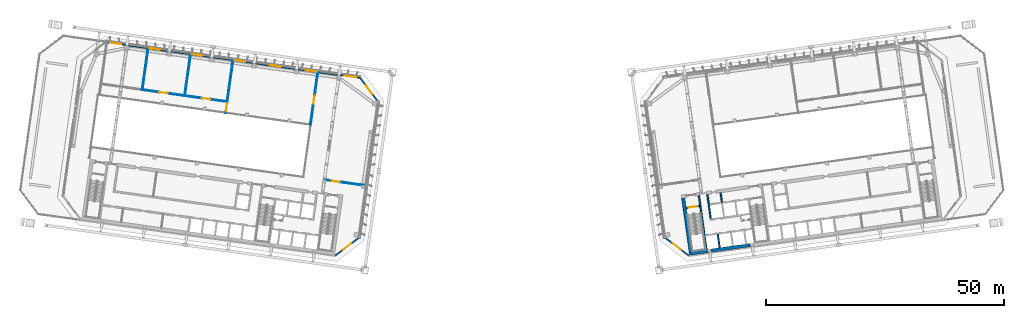
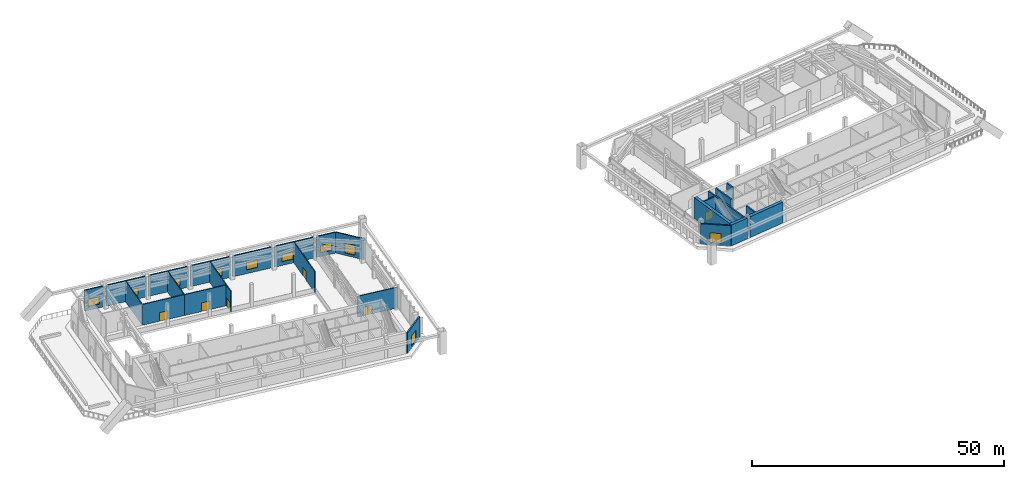
# One storey, part 22 of 41: 26 walls, 10 windows, 6 doors, 16 openings.
"""IFC4 building model written with IfcOpenShell, lengths in metres."""

from ifc_helpers import new_model, si_unit, direction, frame, frame_2d, origin, place, context, subcontext, project, spatial, rectangle, extrude, material, layer, layer_set, type_object, element, fill, save


model = new_model("IFC4")

# Units and contexts
model_context = context("Model", 3, precision=1e-05, world=origin(), true_north=direction((0.0, 1.0)))
body_context = subcontext(model_context, "Body", "Model", "MODEL_VIEW")
ifc_project = project(units=[si_unit("LENGTHUNIT", "METRE"), si_unit("AREAUNIT", "SQUARE_METRE"), si_unit("VOLUMEUNIT", "CUBIC_METRE"), si_unit("PLANEANGLEUNIT", "RADIAN"), si_unit("MASSUNIT", "GRAM", prefix="KILO")], contexts=[model_context])

# Site, building, storey
site_placement = place(None, origin())
site = spatial("IfcSite", under=ifc_project, at=site_placement, CompositionType="ELEMENT")
building_placement = place(site_placement, origin())
building = spatial("IfcBuilding", under=site, at=building_placement, Name="Mirante Cascada Hotel Towers", CompositionType="ELEMENT")
storey_placement = place(building_placement, frame((0.0, 0.0, 151.9)))
storey = spatial("IfcBuildingStorey", under=building, at=storey_placement, Name="L35", CompositionType="ELEMENT", Elevation=151.9)

# Wall
ifc_material_1 = material(Name="Masonry block", Category="masonry")
ifc_layer_1 = layer(ifc_material_1, 0.3)
ifc_layer_set_1 = layer_set([ifc_layer_1], Name="Core wall 300 block EI 120")
wall_type_1 = type_object("IfcWallType", Name="Core wall 300 block EI 120", PredefinedType="PARTITIONING", material=ifc_layer_set_1)
wall_1_placement = place(storey_placement, frame((44.0843, -8.8061, 0.0), z_axis=(0.0, 0.0, 1.0), x_axis=(-0.1391951, 0.990265, 0.0)))
element("IfcWall", 1, at=wall_1_placement, inside=storey, type_object=wall_type_1, Name="Core wall partition T2 L35 1", PredefinedType="PARTITIONING", context=body_context, shape_type="SweptSolid", body=[
    extrude(rectangle(XDim=2.0001, YDim=0.3, at=frame_2d((1.0001, 0.0))), origin(), (0.0, 0.0, 1.0), 5.05),
])

# Wall, opening, window
ifc_material_2 = material(Name="Precast concrete C40/50", Category="concrete")
ifc_layer_2 = layer(ifc_material_2, 0.3)
ifc_layer_set_2 = layer_set([ifc_layer_2], Name="Precast concrete C40/50 cladding wall 300")
wall_type_2 = type_object("IfcWallType", Name="Precast concrete C40/50 cladding wall 300", PredefinedType="STANDARD", material=ifc_layer_set_2)
wall_2_placement = place(storey_placement, frame((-31.9558, 17.3101, 0.0), z_axis=(0.0, 0.0, 1.0), x_axis=(-0.9902691, 0.1391657, 0.0)))
wall_2 = element("IfcWall", 2, at=wall_2_placement, inside=storey, type_object=wall_type_2, Name="Cladding pier wall T1 L35 front 1", PredefinedType="STANDARD", context=body_context, shape_type="SweptSolid", body=[
    extrude(rectangle(XDim=4.0908, YDim=0.3, at=frame_2d((2.0454, 0.0))), origin(), (0.0, 0.0, 1.0), 5.05),
])
opening_1_placement = place(wall_2_placement, frame((0.8143, 0.0, 0.9)))
opening_1 = element("IfcOpeningElement", 3, at=opening_1_placement, cuts=wall_2, Name="Opening W1-35-01", PredefinedType="OPENING", context=body_context, shape_type="SweptSolid", body=[
    extrude(rectangle(XDim=2.4, YDim=1.8, at=frame_2d((1.2, 0.9))), frame((0.0, 0.15, 0.0), z_axis=(0.0, -1.0, 0.0), x_axis=(1.0, 0.0, 0.0)), (0.0, 0.0, 1.0), 0.3),
])
ifc_material_3 = material(Name="Aluminium frame with clear double glazing", Category="aluminium")
window_type_1 = type_object("IfcWindowType", Name="Punched window 2400x1800", PartitioningType="DOUBLE_PANEL_VERTICAL", PredefinedType="WINDOW", material=ifc_material_3)
window_1_placement = place(opening_1_placement, origin())
window_1 = element("IfcWindow", 4, at=window_1_placement, inside=storey, type_object=window_type_1, Name="Window W1-35-01", OverallHeight=1.8, OverallWidth=2.4, PartitioningType="SINGLE_PANEL", PredefinedType="WINDOW", context=body_context, shape_type="SweptSolid", body=[
    extrude(rectangle(XDim=2.4, YDim=1.8, at=frame_2d((1.2, 0.9))), frame((0.0, 0.03, 0.0), z_axis=(0.0, -1.0, 0.0), x_axis=(1.0, 0.0, 0.0)), (0.0, 0.0, 1.0), 0.06),
])
fill(opening_1, window_1)

wall_3_placement = place(storey_placement, frame((-36.6009, 17.963, 0.0), z_axis=(0.0, 0.0, 1.0), x_axis=(-0.9902691, 0.139166, 0.0)))
wall_3 = element("IfcWall", 5, at=wall_3_placement, inside=storey, type_object=wall_type_2, Name="Cladding pier wall T1 L35 front 2", PredefinedType="STANDARD", context=body_context, shape_type="SweptSolid", body=[
    extrude(rectangle(XDim=8.4, YDim=0.3, at=frame_2d((4.2, 0.0))), origin(), (0.0, 0.0, 1.0), 5.05),
])
opening_2_placement = place(wall_3_placement, frame((4.385, 0.0, 0.9)))
opening_2 = element("IfcOpeningElement", 6, at=opening_2_placement, cuts=wall_3, Name="Opening W1-35-02", PredefinedType="OPENING", context=body_context, shape_type="SweptSolid", body=[
    extrude(rectangle(XDim=2.4, YDim=1.8, at=frame_2d((1.2, 0.9))), frame((0.0, 0.15, 0.0), z_axis=(0.0, -1.0, 0.0), x_axis=(1.0, 0.0, 0.0)), (0.0, 0.0, 1.0), 0.3),
])
window_2_placement = place(opening_2_placement, origin())
window_2 = element("IfcWindow", 7, at=window_2_placement, inside=storey, type_object=window_type_1, Name="Window W1-35-02", OverallHeight=1.8, OverallWidth=2.4, PartitioningType="SINGLE_PANEL", PredefinedType="WINDOW", context=body_context, shape_type="SweptSolid", body=[
    extrude(rectangle(XDim=2.4, YDim=1.8, at=frame_2d((1.2, 0.9))), frame((0.0, 0.03, 0.0), z_axis=(0.0, -1.0, 0.0), x_axis=(1.0, 0.0, 0.0)), (0.0, 0.0, 1.0), 0.06),
])
fill(opening_2, window_2)

wall_4_placement = place(storey_placement, frame((-45.5133, 19.2155, 0.0), z_axis=(0.0, 0.0, 1.0), x_axis=(-0.9902675, 0.139177, 0.0)))
wall_4 = element("IfcWall", 8, at=wall_4_placement, inside=storey, type_object=wall_type_2, Name="Cladding pier wall T1 L35 front 3", PredefinedType="STANDARD", context=body_context, shape_type="SweptSolid", body=[
    extrude(rectangle(XDim=8.385, YDim=0.3, at=frame_2d((4.1925, 0.0))), origin(), (0.0, 0.0, 1.0), 5.05),
])
opening_3_placement = place(wall_4_placement, frame((2.9925, 0.0, 0.9)))
opening_3 = element("IfcOpeningElement", 9, at=opening_3_placement, cuts=wall_4, Name="Opening W1-35-03", PredefinedType="OPENING", context=body_context, shape_type="SweptSolid", body=[
    extrude(rectangle(XDim=2.4, YDim=1.8, at=frame_2d((1.2, 0.9))), frame((0.0, 0.15, 0.0), z_axis=(0.0, -1.0, 0.0), x_axis=(1.0, 0.0, 0.0)), (0.0, 0.0, 1.0), 0.3),
])
window_3_placement = place(opening_3_placement, origin())
window_3 = element("IfcWindow", 10, at=window_3_placement, inside=storey, type_object=window_type_1, Name="Window W1-35-03", OverallHeight=1.8, OverallWidth=2.4, PartitioningType="SINGLE_PANEL", PredefinedType="WINDOW", context=body_context, shape_type="SweptSolid", body=[
    extrude(rectangle(XDim=2.4, YDim=1.8, at=frame_2d((1.2, 0.9))), frame((0.0, 0.03, 0.0), z_axis=(0.0, -1.0, 0.0), x_axis=(1.0, 0.0, 0.0)), (0.0, 0.0, 1.0), 0.06),
])
fill(opening_3, window_3)

wall_5_placement = place(storey_placement, frame((-54.4109, 20.466, 0.0), z_axis=(0.0, 0.0, 1.0), x_axis=(-0.9902691, 0.139166, 0.0)))
wall_5 = element("IfcWall", 11, at=wall_5_placement, inside=storey, type_object=wall_type_2, Name="Cladding pier wall T1 L35 front 4", PredefinedType="STANDARD", context=body_context, shape_type="SweptSolid", body=[
    extrude(rectangle(XDim=8.4, YDim=0.3, at=frame_2d((4.2, 0.0))), origin(), (0.0, 0.0, 1.0), 5.05),
])
opening_4_placement = place(wall_5_placement, frame((1.6, 0.0, 0.9)))
opening_4 = element("IfcOpeningElement", 12, at=opening_4_placement, cuts=wall_5, Name="Opening W1-35-04", PredefinedType="OPENING", context=body_context, shape_type="SweptSolid", body=[
    extrude(rectangle(XDim=2.4, YDim=1.8, at=frame_2d((1.2, 0.9))), frame((0.0, 0.15, 0.0), z_axis=(0.0, -1.0, 0.0), x_axis=(1.0, 0.0, 0.0)), (0.0, 0.0, 1.0), 0.3),
])
window_4_placement = place(opening_4_placement, origin())
window_4 = element("IfcWindow", 13, at=window_4_placement, inside=storey, type_object=window_type_1, Name="Window W1-35-04", OverallHeight=1.8, OverallWidth=2.4, PartitioningType="SINGLE_PANEL", PredefinedType="WINDOW", context=body_context, shape_type="SweptSolid", body=[
    extrude(rectangle(XDim=2.4, YDim=1.8, at=frame_2d((1.2, 0.9))), frame((0.0, 0.03, 0.0), z_axis=(0.0, -1.0, 0.0), x_axis=(1.0, 0.0, 0.0)), (0.0, 0.0, 1.0), 0.06),
])
fill(opening_4, window_4)

wall_6_placement = place(storey_placement, frame((-63.3233, 21.7185, 0.0), z_axis=(0.0, 0.0, 1.0), x_axis=(-0.9902674, 0.1391777, 0.0)))
wall_6 = element("IfcWall", 14, at=wall_6_placement, inside=storey, type_object=wall_type_2, Name="Cladding pier wall T1 L35 front 5", PredefinedType="STANDARD", context=body_context, shape_type="SweptSolid", body=[
    extrude(rectangle(XDim=8.4001, YDim=0.3, at=frame_2d((4.2, 0.0))), origin(), (0.0, 0.0, 1.0), 5.05),
])
opening_5_placement = place(wall_6_placement, frame((1.6, 0.0, 0.9)))
opening_5 = element("IfcOpeningElement", 15, at=opening_5_placement, cuts=wall_6, Name="Opening W1-35-05", PredefinedType="OPENING", context=body_context, shape_type="SweptSolid", body=[
    extrude(rectangle(XDim=2.4, YDim=1.8, at=frame_2d((1.2, 0.9))), frame((0.0, 0.15, 0.0), z_axis=(0.0, -1.0, 0.0), x_axis=(1.0, 0.0, 0.0)), (0.0, 0.0, 1.0), 0.3),
])
window_5_placement = place(opening_5_placement, origin())
window_5 = element("IfcWindow", 16, at=window_5_placement, inside=storey, type_object=window_type_1, Name="Window W1-35-05", OverallHeight=1.8, OverallWidth=2.4, PartitioningType="SINGLE_PANEL", PredefinedType="WINDOW", context=body_context, shape_type="SweptSolid", body=[
    extrude(rectangle(XDim=2.4, YDim=1.8, at=frame_2d((1.2, 0.9))), frame((0.0, 0.03, 0.0), z_axis=(0.0, -1.0, 0.0), x_axis=(1.0, 0.0, 0.0)), (0.0, 0.0, 1.0), 0.06),
])
fill(opening_5, window_5)

wall_7_placement = place(storey_placement, frame((-72.2357, 22.9711, 0.0), z_axis=(0.0, 0.0, 1.0), x_axis=(-0.9902691, 0.139166, 0.0)))
wall_7 = element("IfcWall", 17, at=wall_7_placement, inside=storey, type_object=wall_type_2, Name="Cladding pier wall T1 L35 front 6", PredefinedType="STANDARD", context=body_context, shape_type="SweptSolid", body=[
    extrude(rectangle(XDim=8.4, YDim=0.3, at=frame_2d((4.2, 0.0))), origin(), (0.0, 0.0, 1.0), 5.05),
])
opening_6_placement = place(wall_7_placement, frame((1.6, 0.0, 0.9)))
opening_6 = element("IfcOpeningElement", 18, at=opening_6_placement, cuts=wall_7, Name="Opening W1-35-06", PredefinedType="OPENING", context=body_context, shape_type="SweptSolid", body=[
    extrude(rectangle(XDim=2.4, YDim=1.8, at=frame_2d((1.2, 0.9))), frame((0.0, 0.15, 0.0), z_axis=(0.0, -1.0, 0.0), x_axis=(1.0, 0.0, 0.0)), (0.0, 0.0, 1.0), 0.3),
])
window_6_placement = place(opening_6_placement, origin())
window_6 = element("IfcWindow", 19, at=window_6_placement, inside=storey, type_object=window_type_1, Name="Window W1-35-06", OverallHeight=1.8, OverallWidth=2.4, PartitioningType="SINGLE_PANEL", PredefinedType="WINDOW", context=body_context, shape_type="SweptSolid", body=[
    extrude(rectangle(XDim=2.4, YDim=1.8, at=frame_2d((1.2, 0.9))), frame((0.0, 0.03, 0.0), z_axis=(0.0, -1.0, 0.0), x_axis=(1.0, 0.0, 0.0)), (0.0, 0.0, 1.0), 0.06),
])
fill(opening_6, window_6)

wall_8_placement = place(storey_placement, frame((-81.1481, 24.2237, 0.0), z_axis=(0.0, 0.0, 1.0), x_axis=(-0.9902698, 0.1391609, 0.0)))
wall_8 = element("IfcWall", 20, at=wall_8_placement, inside=storey, type_object=wall_type_2, Name="Cladding pier wall T1 L35 front 7", PredefinedType="STANDARD", context=body_context, shape_type="SweptSolid", body=[
    extrude(rectangle(XDim=4.0759, YDim=0.3, at=frame_2d((2.038, 0.0))), origin(), (0.0, 0.0, 1.0), 5.05),
])
opening_7_placement = place(wall_8_placement, frame((0.8689, 0.0, 0.9)))
opening_7 = element("IfcOpeningElement", 21, at=opening_7_placement, cuts=wall_8, Name="Opening W1-35-07", PredefinedType="OPENING", context=body_context, shape_type="SweptSolid", body=[
    extrude(rectangle(XDim=2.4, YDim=1.8, at=frame_2d((1.2, 0.9))), frame((0.0, 0.15, 0.0), z_axis=(0.0, -1.0, 0.0), x_axis=(1.0, 0.0, 0.0)), (0.0, 0.0, 1.0), 0.3),
])
window_7_placement = place(opening_7_placement, origin())
window_7 = element("IfcWindow", 22, at=window_7_placement, inside=storey, type_object=window_type_1, Name="Window W1-35-07", OverallHeight=1.8, OverallWidth=2.4, PartitioningType="SINGLE_PANEL", PredefinedType="WINDOW", context=body_context, shape_type="SweptSolid", body=[
    extrude(rectangle(XDim=2.4, YDim=1.8, at=frame_2d((1.2, 0.9))), frame((0.0, 0.03, 0.0), z_axis=(0.0, -1.0, 0.0), x_axis=(1.0, 0.0, 0.0)), (0.0, 0.0, 1.0), 0.06),
])
fill(opening_7, window_7)

wall_9_placement = place(storey_placement, frame((-31.8569, 17.2519, 0.0), z_axis=(0.0, 0.0, 1.0), x_axis=(0.6018115, -0.7986381, 0.0)))
wall_9 = element("IfcWall", 23, at=wall_9_placement, inside=storey, type_object=wall_type_2, Name="Corner cladding wall T1 L35 front inner", PredefinedType="STANDARD", context=body_context, shape_type="SweptSolid", body=[
    extrude(rectangle(XDim=6.1155, YDim=0.3, at=frame_2d((3.0578, 0.0))), origin(), (0.0, 0.0, 1.0), 5.05),
])
opening_8_placement = place(wall_9_placement, frame((1.9577, 0.0, 0.6)))
opening_8 = element("IfcOpeningElement", 24, at=opening_8_placement, cuts=wall_9, Name="Opening W1-35-10", PredefinedType="OPENING", context=body_context, shape_type="SweptSolid", body=[
    extrude(rectangle(XDim=2.2, YDim=2.4, at=frame_2d((1.1, 1.2))), frame((0.0, 0.15, 0.0), z_axis=(0.0, -1.0, 0.0), x_axis=(1.0, 0.0, 0.0)), (0.0, 0.0, 1.0), 0.3),
])
ifc_material_4 = material(Name="Aluminium frame with clear double glazing", Category="aluminium")
window_type_2 = type_object("IfcWindowType", Name="Corner suite window 2200x2400", PartitioningType="DOUBLE_PANEL_VERTICAL", PredefinedType="WINDOW", material=ifc_material_4)
window_8_placement = place(opening_8_placement, origin())
window_8 = element("IfcWindow", 25, at=window_8_placement, inside=storey, type_object=window_type_2, Name="Window W1-35-10", OverallHeight=2.4, OverallWidth=2.2, PartitioningType="SINGLE_PANEL", PredefinedType="WINDOW", context=body_context, shape_type="SweptSolid", body=[
    extrude(rectangle(XDim=2.2, YDim=2.4, at=frame_2d((1.1, 1.2))), frame((0.0, 0.03, 0.0), z_axis=(0.0, -1.0, 0.0), x_axis=(1.0, 0.0, 0.0)), (0.0, 0.0, 1.0), 0.06),
])
fill(opening_8, window_8)

wall_10_placement = place(storey_placement, frame((-32.2074, -16.3138, 0.0), z_axis=(0.0, 0.0, 1.0), x_axis=(-0.7986362, -0.6018141, 0.0)))
wall_10 = element("IfcWall", 26, at=wall_10_placement, inside=storey, type_object=wall_type_2, Name="Corner cladding wall T1 L35 inner rear", PredefinedType="STANDARD", context=body_context, shape_type="SweptSolid", body=[
    extrude(rectangle(XDim=6.1157, YDim=0.3, at=frame_2d((3.0578, 0.0))), origin(), (0.0, 0.0, 1.0), 5.05),
])
opening_9_placement = place(wall_10_placement, frame((1.9578, 0.0, 0.6)))
opening_9 = element("IfcOpeningElement", 27, at=opening_9_placement, cuts=wall_10, Name="Opening W1-35-11", PredefinedType="OPENING", context=body_context, shape_type="SweptSolid", body=[
    extrude(rectangle(XDim=2.2, YDim=2.4, at=frame_2d((1.1, 1.2))), frame((0.0, 0.15, 0.0), z_axis=(0.0, -1.0, 0.0), x_axis=(1.0, 0.0, 0.0)), (0.0, 0.0, 1.0), 0.3),
])
window_9_placement = place(opening_9_placement, origin())
window_9 = element("IfcWindow", 28, at=window_9_placement, inside=storey, type_object=window_type_2, Name="Window W1-35-11", OverallHeight=2.4, OverallWidth=2.2, PartitioningType="SINGLE_PANEL", PredefinedType="WINDOW", context=body_context, shape_type="SweptSolid", body=[
    extrude(rectangle(XDim=2.2, YDim=2.4, at=frame_2d((1.1, 1.2))), frame((0.0, 0.03, 0.0), z_axis=(0.0, -1.0, 0.0), x_axis=(1.0, 0.0, 0.0)), (0.0, 0.0, 1.0), 0.06),
])
fill(opening_9, window_9)

wall_11_placement = place(storey_placement, frame((32.2074, -16.3138, 0.0), z_axis=(0.0, 0.0, 1.0), x_axis=(0.7986362, -0.6018141, 0.0)))
wall_11 = element("IfcWall", 29, at=wall_11_placement, inside=storey, type_object=wall_type_2, Name="Corner cladding wall T2 L35 inner rear", PredefinedType="STANDARD", context=body_context, shape_type="SweptSolid", body=[
    extrude(rectangle(XDim=6.1157, YDim=0.3, at=frame_2d((3.0578, 0.0))), origin(), (0.0, 0.0, 1.0), 5.05),
])
opening_10_placement = place(wall_11_placement, frame((1.9578, 0.0, 0.6)))
opening_10 = element("IfcOpeningElement", 30, at=opening_10_placement, cuts=wall_11, Name="Opening W2-35-11", PredefinedType="OPENING", context=body_context, shape_type="SweptSolid", body=[
    extrude(rectangle(XDim=2.2, YDim=2.4, at=frame_2d((1.1, 1.2))), frame((0.0, 0.15, 0.0), z_axis=(0.0, -1.0, 0.0), x_axis=(1.0, 0.0, 0.0)), (0.0, 0.0, 1.0), 0.3),
])
window_10_placement = place(opening_10_placement, origin())
window_10 = element("IfcWindow", 31, at=window_10_placement, inside=storey, type_object=window_type_2, Name="Window W2-35-11", OverallHeight=2.4, OverallWidth=2.2, PartitioningType="SINGLE_PANEL", PredefinedType="WINDOW", context=body_context, shape_type="SweptSolid", body=[
    extrude(rectangle(XDim=2.2, YDim=2.4, at=frame_2d((1.1, 1.2))), frame((0.0, 0.03, 0.0), z_axis=(0.0, -1.0, 0.0), x_axis=(1.0, 0.0, 0.0)), (0.0, 0.0, 1.0), 0.06),
])
fill(opening_10, window_10)

# Wall
ifc_material_5 = material(Name="Concrete C50/60", Category="concrete")
ifc_layer_3 = layer(ifc_material_5, 0.3)
ifc_layer_set_3 = layer_set([ifc_layer_3], Name="RC core wall 300 C50/60")
wall_type_3 = type_object("IfcWallType", Name="RC core wall 300 C50/60", PredefinedType="SHEAR", material=ifc_layer_set_3)
wall_12_placement = place(storey_placement, frame((40.8373, -18.7548, 0.0), z_axis=(0.0, 0.0, 1.0), x_axis=(-0.1391749, 0.9902678, 0.0)))
element("IfcWall", 32, at=wall_12_placement, inside=storey, type_object=wall_type_3, Name="Core wall T2:L35:5", PredefinedType="SHEAR", context=body_context, shape_type="SweptSolid", body=[
    extrude(rectangle(XDim=11.4, YDim=0.3, at=frame_2d((5.7, 0.0))), origin(), (0.0, 0.0, 1.0), 5.05),
])

# Wall, opening, door
wall_13_placement = place(storey_placement, frame((36.5791, -10.0123, 0.0), z_axis=(0.0, 0.0, 1.0), x_axis=(0.9902704, 0.1391564, 0.0)))
wall_13 = element("IfcWall", 33, at=wall_13_placement, inside=storey, type_object=wall_type_3, Name="Core wall T2:L35:9", PredefinedType="SHEAR", context=body_context, shape_type="SweptSolid", body=[
    extrude(rectangle(XDim=2.85, YDim=0.3, at=frame_2d((1.425, 0.0))), origin(), (0.0, 0.0, 1.0), 5.05),
])
opening_11_placement = place(wall_13_placement, frame((0.525, 0.0, 0.0)))
opening_11 = element("IfcOpeningElement", 34, at=opening_11_placement, cuts=wall_13, Name="Opening D2-35-C13", PredefinedType="OPENING", context=body_context, shape_type="SweptSolid", body=[
    extrude(rectangle(XDim=1.8, YDim=2.1, at=frame_2d((0.9, 1.05))), frame((0.0, 0.15, 0.0), z_axis=(0.0, -1.0, 0.0), x_axis=(1.0, 0.0, 0.0)), (0.0, 0.0, 1.0), 0.3),
])
ifc_material_6 = material(Name="Hollow metal fire door leaf")
door_type_1 = type_object("IfcDoorType", Name="Double fire door 1800x2100 FD60", OperationType="DOUBLE_DOOR_SINGLE_SWING", PredefinedType="DOOR", material=ifc_material_6)
door_1_placement = place(opening_11_placement, frame((1.8, 0.0, 0.0), z_axis=(0.0, 0.0, 1.0), x_axis=(-1.0, 0.0, 0.0)))
door_1 = element("IfcDoor", 35, at=door_1_placement, inside=storey, type_object=door_type_1, Name="Stair door T2 L35 13", OperationType="DOUBLE_DOOR_SINGLE_SWING", OverallHeight=2.1, OverallWidth=1.8, PredefinedType="DOOR", context=body_context, shape_type="SweptSolid", body=[
    extrude(rectangle(XDim=0.895, YDim=2.1, at=frame_2d((0.4475, 1.05))), frame((0.0, 0.025, 0.0), z_axis=(0.0, -1.0, 0.0), x_axis=(1.0, 0.0, 0.0)), (0.0, 0.0, 1.0), 0.05),
    extrude(rectangle(XDim=0.895, YDim=2.1, at=frame_2d((1.3525, 1.05))), frame((0.0, 0.025, 0.0), z_axis=(0.0, -1.0, 0.0), x_axis=(1.0, 0.0, 0.0)), (0.0, 0.0, 1.0), 0.05),
])
fill(opening_11, door_1)

# Walls
wall_14_placement = place(storey_placement, frame((43.61, -18.3651, 0.0), z_axis=(0.0, 0.0, 1.0), x_axis=(-0.1391459, 0.9902719, 0.0)))
element("IfcWall", 36, at=wall_14_placement, inside=storey, type_object=wall_type_3, Name="Core wall T2:L35:15", PredefinedType="SHEAR", context=body_context, shape_type="SweptSolid", body=[
    extrude(rectangle(XDim=2.7999, YDim=0.3, at=frame_2d((1.4, 0.0))), origin(), (0.0, 0.0, 1.0), 5.05),
])
wall_15_placement = place(storey_placement, frame((41.743, -12.2656, 0.0), z_axis=(0.0, 0.0, 1.0), x_axis=(-0.1391755, 0.9902677, 0.0)))
element("IfcWall", 37, at=wall_15_placement, inside=storey, type_object=wall_type_3, Name="Core wall T2:L35:20", PredefinedType="SHEAR", context=body_context, shape_type="SweptSolid", body=[
    extrude(rectangle(XDim=5.1, YDim=0.3, at=frame_2d((2.55, 0.0))), origin(), (0.0, 0.0, 1.0), 5.05),
])
ifc_material_7 = material(Name="Concrete C50/60", Category="concrete")
ifc_layer_4 = layer(ifc_material_7, 0.7)
ifc_layer_set_4 = layer_set([ifc_layer_4], Name="RC core wall 700 C50/60")
wall_type_4 = type_object("IfcWallType", Name="RC core wall 700 C50/60", PredefinedType="SHEAR", material=ifc_layer_set_4)
wall_16_placement = place(storey_placement, frame((37.222, -19.6163, 0.0), z_axis=(0.0, 0.0, 1.0), x_axis=(0.9902689, 0.1391674, 0.0)))
element("IfcWall", 38, at=wall_16_placement, inside=storey, type_object=wall_type_4, Name="Core wall T2:L35:1.1", PredefinedType="SHEAR", context=body_context, shape_type="SweptSolid", body=[
    extrude(rectangle(XDim=3.9262, YDim=0.7, at=frame_2d((1.9631, 0.0))), origin(), (0.0, 0.0, 1.0), 5.05),
])
wall_17_placement = place(storey_placement, frame((41.8416, -18.9671, 0.0), z_axis=(0.0, 0.0, 1.0), x_axis=(0.990268, 0.1391737, 0.0)))
element("IfcWall", 39, at=wall_17_placement, inside=storey, type_object=wall_type_4, Name="Core wall T2:L35:1.2", PredefinedType="SHEAR", context=body_context, shape_type="SweptSolid", body=[
    extrude(rectangle(XDim=8.2731, YDim=0.7, at=frame_2d((4.1366, 0.0))), origin(), (0.0, 0.0, 1.0), 5.05),
])
wall_18_placement = place(storey_placement, frame((37.5199, -19.221, 0.0), z_axis=(0.0, 0.0, 1.0), x_axis=(-0.1391761, 0.9902677, 0.0)))
element("IfcWall", 40, at=wall_18_placement, inside=storey, type_object=wall_type_4, Name="Core wall T2:L35:3", PredefinedType="SHEAR", context=body_context, shape_type="SweptSolid", body=[
    extrude(rectangle(XDim=11.3999, YDim=0.7, at=frame_2d((5.7, 0.0))), origin(), (0.0, 0.0, 1.0), 5.05),
])

# Wall, opening, door
ifc_material_8 = material(Name="Masonry block", Category="masonry")
ifc_layer_5 = layer(ifc_material_8, 0.2)
ifc_layer_set_5 = layer_set([ifc_layer_5], Name="Refuge and plant wall 200 block EI 120")
wall_type_5 = type_object("IfcWallType", Name="Refuge and plant wall 200 block EI 120", PredefinedType="PARTITIONING", material=ifc_layer_set_5)
wall_19_placement = place(storey_placement, frame((-30.7208, -5.3321, 0.0), z_axis=(0.0, 0.0, 1.0), x_axis=(-0.990269, 0.1391666, 0.0)))
wall_19 = element("IfcWall", 41, at=wall_19_placement, inside=storey, type_object=wall_type_5, Name="Refuge floor wall T1 L35 S1", PredefinedType="PARTITIONING", context=body_context, shape_type="SweptSolid", body=[
    extrude(rectangle(XDim=8.7499, YDim=0.2, at=frame_2d((4.375, 0.0))), origin(), (0.0, 0.0, 1.0), 5.05),
])
opening_12_placement = place(wall_19_placement, frame((5.55, 0.0, 0.0)))
opening_12 = element("IfcOpeningElement", 42, at=opening_12_placement, cuts=wall_19, Name="Opening D1-35-S01", PredefinedType="OPENING", context=body_context, shape_type="SweptSolid", body=[
    extrude(rectangle(XDim=1.8, YDim=2.1, at=frame_2d((0.9, 1.05))), frame((0.0, 0.1, 0.0), z_axis=(0.0, -1.0, 0.0), x_axis=(1.0, 0.0, 0.0)), (0.0, 0.0, 1.0), 0.2),
])
ifc_material_9 = material(Name="Hollow metal fire door leaf")
door_type_2 = type_object("IfcDoorType", Name="Refuge and plant double door 1800x2100 FD60", OperationType="DOUBLE_DOOR_SINGLE_SWING", PredefinedType="DOOR", material=ifc_material_9)
door_2_placement = place(opening_12_placement, frame((1.8, 0.0, 0.0), z_axis=(0.0, 0.0, 1.0), x_axis=(-1.0, 0.0, 0.0)))
door_2 = element("IfcDoor", 43, at=door_2_placement, inside=storey, type_object=door_type_2, Name="Fire door T1 L35 s1", OperationType="DOUBLE_DOOR_SINGLE_SWING", OverallHeight=2.1, OverallWidth=1.8, PredefinedType="DOOR", context=body_context, shape_type="SweptSolid", body=[
    extrude(rectangle(XDim=0.895, YDim=2.1, at=frame_2d((0.4475, 1.05))), frame((0.0, 0.025, 0.0), z_axis=(0.0, -1.0, 0.0), x_axis=(1.0, 0.0, 0.0)), (0.0, 0.0, 1.0), 0.05),
    extrude(rectangle(XDim=0.895, YDim=2.1, at=frame_2d((1.3525, 1.05))), frame((0.0, 0.025, 0.0), z_axis=(0.0, -1.0, 0.0), x_axis=(1.0, 0.0, 0.0)), (0.0, 0.0, 1.0), 0.05),
])
fill(opening_12, door_2)

wall_20_placement = place(storey_placement, frame((-59.8017, 12.2866, 0.0), z_axis=(0.0, 0.0, 1.0), x_axis=(-0.9902674, 0.1391779, 0.0)))
wall_20 = element("IfcWall", 44, at=wall_20_placement, inside=storey, type_object=wall_type_5, Name="Refuge floor wall T1 L35 S2", PredefinedType="PARTITIONING", context=body_context, shape_type="SweptSolid", body=[
    extrude(rectangle(XDim=9.0, YDim=0.2, at=frame_2d((4.5, 0.0))), origin(), (0.0, 0.0, 1.0), 5.05),
])
opening_13_placement = place(wall_20_placement, frame((3.6, 0.0, 0.0)))
opening_13 = element("IfcOpeningElement", 45, at=opening_13_placement, cuts=wall_20, Name="Opening D1-35-S05", PredefinedType="OPENING", context=body_context, shape_type="SweptSolid", body=[
    extrude(rectangle(XDim=1.8, YDim=2.1, at=frame_2d((0.9, 1.05))), frame((0.0, 0.1, 0.0), z_axis=(0.0, -1.0, 0.0), x_axis=(1.0, 0.0, 0.0)), (0.0, 0.0, 1.0), 0.2),
])
door_3_placement = place(opening_13_placement, frame((1.8, 0.0, 0.0), z_axis=(0.0, 0.0, 1.0), x_axis=(-1.0, 0.0, 0.0)))
door_3 = element("IfcDoor", 46, at=door_3_placement, inside=storey, type_object=door_type_2, Name="Fire door T1 L35 s5", OperationType="DOUBLE_DOOR_SINGLE_SWING", OverallHeight=2.1, OverallWidth=1.8, PredefinedType="DOOR", context=body_context, shape_type="SweptSolid", body=[
    extrude(rectangle(XDim=0.895, YDim=2.1, at=frame_2d((0.4475, 1.05))), frame((0.0, 0.025, 0.0), z_axis=(0.0, -1.0, 0.0), x_axis=(1.0, 0.0, 0.0)), (0.0, 0.0, 1.0), 0.05),
    extrude(rectangle(XDim=0.895, YDim=2.1, at=frame_2d((1.3525, 1.05))), frame((0.0, 0.025, 0.0), z_axis=(0.0, -1.0, 0.0), x_axis=(1.0, 0.0, 0.0)), (0.0, 0.0, 1.0), 0.05),
])
fill(opening_13, door_3)

wall_21_placement = place(storey_placement, frame((-68.7141, 13.5392, 0.0), z_axis=(0.0, 0.0, 1.0), x_axis=(-0.9902689, 0.139167, 0.0)))
wall_21 = element("IfcWall", 47, at=wall_21_placement, inside=storey, type_object=wall_type_5, Name="Refuge floor wall T1 L35 S3", PredefinedType="PARTITIONING", context=body_context, shape_type="SweptSolid", body=[
    extrude(rectangle(XDim=9.0, YDim=0.2, at=frame_2d((4.5, 0.0))), origin(), (0.0, 0.0, 1.0), 5.05),
])
opening_14_placement = place(wall_21_placement, frame((3.6, 0.0, 0.0)))
opening_14 = element("IfcOpeningElement", 48, at=opening_14_placement, cuts=wall_21, Name="Opening D1-35-S06", PredefinedType="OPENING", context=body_context, shape_type="SweptSolid", body=[
    extrude(rectangle(XDim=1.8, YDim=2.1, at=frame_2d((0.9, 1.05))), frame((0.0, 0.1, 0.0), z_axis=(0.0, -1.0, 0.0), x_axis=(1.0, 0.0, 0.0)), (0.0, 0.0, 1.0), 0.2),
])
door_4_placement = place(opening_14_placement, frame((1.8, 0.0, 0.0), z_axis=(0.0, 0.0, 1.0), x_axis=(-1.0, 0.0, 0.0)))
door_4 = element("IfcDoor", 49, at=door_4_placement, inside=storey, type_object=door_type_2, Name="Fire door T1 L35 s6", OperationType="DOUBLE_DOOR_SINGLE_SWING", OverallHeight=2.1, OverallWidth=1.8, PredefinedType="DOOR", context=body_context, shape_type="SweptSolid", body=[
    extrude(rectangle(XDim=0.895, YDim=2.1, at=frame_2d((0.4475, 1.05))), frame((0.0, 0.025, 0.0), z_axis=(0.0, -1.0, 0.0), x_axis=(1.0, 0.0, 0.0)), (0.0, 0.0, 1.0), 0.05),
    extrude(rectangle(XDim=0.895, YDim=2.1, at=frame_2d((1.3525, 1.05))), frame((0.0, 0.025, 0.0), z_axis=(0.0, -1.0, 0.0), x_axis=(1.0, 0.0, 0.0)), (0.0, 0.0, 1.0), 0.05),
])
fill(opening_14, door_4)

wall_22_placement = place(storey_placement, frame((-42.3109, 7.4049, 0.0), z_axis=(0.0, 0.0, 1.0), x_axis=(0.1391747, 0.9902678, 0.0)))
wall_22 = element("IfcWall", 50, at=wall_22_placement, inside=storey, type_object=wall_type_5, Name="Refuge floor wall T1 L35 S6", PredefinedType="PARTITIONING", context=body_context, shape_type="SweptSolid", body=[
    extrude(rectangle(XDim=11.15, YDim=0.2, at=frame_2d((5.575, 0.0))), origin(), (0.0, 0.0, 1.0), 5.05),
])
opening_15_placement = place(wall_22_placement, frame((4.5, 0.0, 0.0)))
opening_15 = element("IfcOpeningElement", 51, at=opening_15_placement, cuts=wall_22, Name="Opening D1-35-S03", PredefinedType="OPENING", context=body_context, shape_type="SweptSolid", body=[
    extrude(rectangle(XDim=1.8, YDim=2.1, at=frame_2d((0.9, 1.05))), frame((0.0, 0.1, 0.0), z_axis=(0.0, -1.0, 0.0), x_axis=(1.0, 0.0, 0.0)), (0.0, 0.0, 1.0), 0.2),
])
door_5_placement = place(opening_15_placement, origin())
door_5 = element("IfcDoor", 52, at=door_5_placement, inside=storey, type_object=door_type_2, Name="Fire door T1 L35 s3", OperationType="DOUBLE_DOOR_SINGLE_SWING", OverallHeight=2.1, OverallWidth=1.8, PredefinedType="DOOR", context=body_context, shape_type="SweptSolid", body=[
    extrude(rectangle(XDim=0.895, YDim=2.1, at=frame_2d((0.4475, 1.05))), frame((0.0, 0.025, 0.0), z_axis=(0.0, -1.0, 0.0), x_axis=(1.0, 0.0, 0.0)), (0.0, 0.0, 1.0), 0.05),
    extrude(rectangle(XDim=0.895, YDim=2.1, at=frame_2d((1.3525, 1.05))), frame((0.0, 0.025, 0.0), z_axis=(0.0, -1.0, 0.0), x_axis=(1.0, 0.0, 0.0)), (0.0, 0.0, 1.0), 0.05),
])
fill(opening_15, door_5)

wall_23_placement = place(storey_placement, frame((-60.1357, 9.91, 0.0), z_axis=(0.0, 0.0, 1.0), x_axis=(0.1391749, 0.9902678, 0.0)))
wall_23 = element("IfcWall", 53, at=wall_23_placement, inside=storey, type_object=wall_type_5, Name="Refuge floor wall T1 L35 S7", PredefinedType="PARTITIONING", context=body_context, shape_type="SweptSolid", body=[
    extrude(rectangle(XDim=2.3, YDim=0.2, at=frame_2d((1.15, 0.0))), origin(), (0.0, 0.0, 1.0), 5.05),
])
opening_16_placement = place(wall_23_placement, frame((0.3, 0.0, 0.0)))
opening_16 = element("IfcOpeningElement", 54, at=opening_16_placement, cuts=wall_23, Name="Opening D1-35-S04", PredefinedType="OPENING", context=body_context, shape_type="SweptSolid", body=[
    extrude(rectangle(XDim=1.8, YDim=2.1, at=frame_2d((0.9, 1.05))), frame((0.0, 0.1, 0.0), z_axis=(0.0, -1.0, 0.0), x_axis=(1.0, 0.0, 0.0)), (0.0, 0.0, 1.0), 0.2),
])
door_6_placement = place(opening_16_placement, frame((1.8, 0.0, 0.0), z_axis=(0.0, 0.0, 1.0), x_axis=(-1.0, 0.0, 0.0)))
door_6 = element("IfcDoor", 55, at=door_6_placement, inside=storey, type_object=door_type_2, Name="Fire door T1 L35 s4", OperationType="DOUBLE_DOOR_SINGLE_SWING", OverallHeight=2.1, OverallWidth=1.8, PredefinedType="DOOR", context=body_context, shape_type="SweptSolid", body=[
    extrude(rectangle(XDim=0.895, YDim=2.1, at=frame_2d((0.4475, 1.05))), frame((0.0, 0.025, 0.0), z_axis=(0.0, -1.0, 0.0), x_axis=(1.0, 0.0, 0.0)), (0.0, 0.0, 1.0), 0.05),
    extrude(rectangle(XDim=0.895, YDim=2.1, at=frame_2d((1.3525, 1.05))), frame((0.0, 0.025, 0.0), z_axis=(0.0, -1.0, 0.0), x_axis=(1.0, 0.0, 0.0)), (0.0, 0.0, 1.0), 0.05),
])
fill(opening_16, door_6)

# Walls
for number, where, z_axis, x_axis, name in (
    (56, (-59.7878, 12.3857, 0.0), (0.0, 0.0, 1.0), (0.1391794, 0.9902672, 0.0), "Refuge floor wall T1 L35 S8"),
    (57, (-68.7002, 13.6382, 0.0), (0.0, 0.0, 1.0), (0.139168, 0.9902688, 0.0), "Refuge floor wall T1 L35 S9"),
    (58, (-77.6126, 14.8908, 0.0), (0.0, 0.0, 1.0), (0.139168, 0.9902688, 0.0), "Refuge floor wall T1 L35 S10"),
):
    element("IfcWall", number, at=place(storey_placement, frame(where, z_axis=z_axis, x_axis=x_axis)), inside=storey, type_object=wall_type_5, Name=name, PredefinedType="PARTITIONING", context=body_context, shape_type="SweptSolid", body=[
        extrude(rectangle(XDim=8.65, YDim=0.2, at=frame_2d((4.325, 0.0))), origin(), (0.0, 0.0, 1.0), 5.05),
    ])

save(model, "model.ifc")
